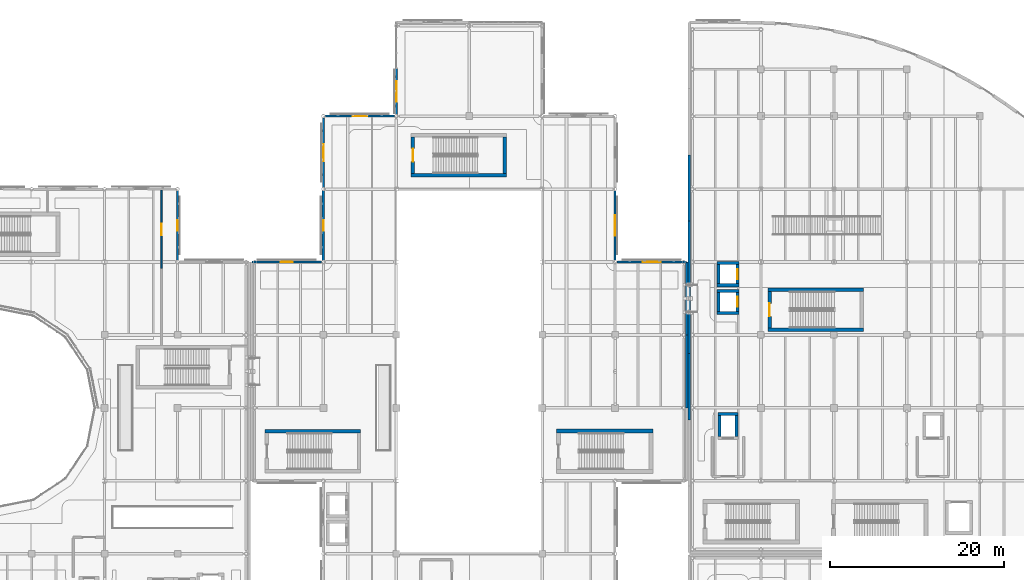
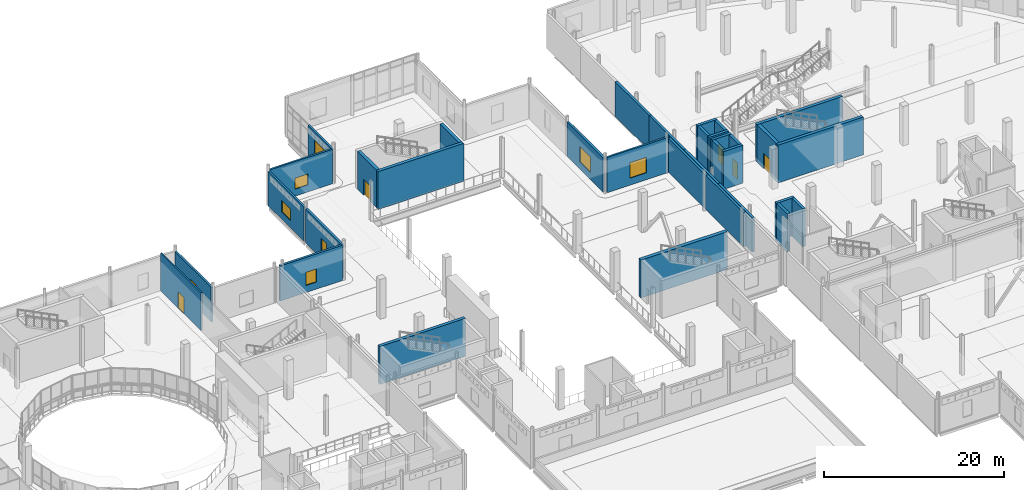
# One storey, part 69 of 110: 34 walls, 8 windows, 5 doors, 13 openings.
"""IFC4 building model written with IfcOpenShell, lengths in metres."""

from ifc_helpers import new_model, si_unit, direction, frame, frame_2d, origin, place, context, subcontext, project, spatial, rectangle, extrude, material, layer, layer_set, type_object, element, fill, save


model = new_model("IFC4")

# Units and contexts
model_context = context("Model", 3, precision=1e-05, world=origin(), true_north=direction((0.0, 1.0)))
body_context = subcontext(model_context, "Body", "Model", "MODEL_VIEW")
ifc_project = project(units=[si_unit("LENGTHUNIT", "METRE"), si_unit("AREAUNIT", "SQUARE_METRE"), si_unit("VOLUMEUNIT", "CUBIC_METRE"), si_unit("PLANEANGLEUNIT", "RADIAN"), si_unit("MASSUNIT", "GRAM", prefix="KILO"), si_unit("THERMODYNAMICTEMPERATUREUNIT", "KELVIN")], contexts=[model_context])

# Site, building, storey
site_placement = place(None, origin())
site = spatial("IfcSite", under=ifc_project, at=site_placement, CompositionType="ELEMENT")
building_placement = place(site_placement, origin())
building = spatial("IfcBuilding", under=site, at=building_placement, Name="Lustrewick Department Store", CompositionType="ELEMENT")
storey_placement = place(building_placement, frame((0.0, 0.0, 6.0)))
storey = spatial("IfcBuildingStorey", under=building, at=storey_placement, Name="L02", CompositionType="ELEMENT", Elevation=6.0)

# Wall, opening, window
ifc_material_1 = material(Name="Precast concrete C40", Category="concrete")
ifc_layer_1 = layer(ifc_material_1, 0.239990234375, Name="Precast concrete C40")
ifc_layer_set_1 = layer_set([ifc_layer_1], Name="Precast concrete C40")
wall_type_1 = type_object("IfcWallType", Name="EW01", PredefinedType="STANDARD", material=ifc_layer_set_1)
wall_1_placement = place(storey_placement, frame((50.39990234375, 84.197998046875, 0.0), z_axis=(0.0, 0.0, 1.0), x_axis=(0.0, 1.0, 0.0)))
wall_1 = element("IfcWall", 1, at=wall_1_placement, inside=storey, type_object=wall_type_1, Name="L02 V1 Exterior Wall EW01", PredefinedType="STANDARD", context=body_context, shape_type="SweptSolid", body=[
    extrude(rectangle(XDim=8.0185546875, YDim=0.239990234375, at=frame_2d((4.00927734375, 0.0))), origin(), (0.0, 0.0, 1.0), 4.697021484375),
])
opening_1_placement = place(wall_1_placement, frame((3.4091796875, 0.0, 0.949951171875)))
opening_1 = element("IfcOpeningElement", 2, at=opening_1_placement, cuts=wall_1, Name="Opening WN06", PredefinedType="OPENING", context=body_context, shape_type="SweptSolid", body=[
    extrude(rectangle(XDim=1.199951171875, YDim=2.10009765625, at=frame_2d((0.60009765625, 1.050048828125))), frame((0.0, 0.1298828125, 0.0), z_axis=(0.0, -1.0, 0.0), x_axis=(1.0, 0.0, 0.0)), (0.0, 0.0, 1.0), 0.260009765625),
])
ifc_material_2 = material(Name="Thermally broken Low-E triple-glazed window", Category="glass")
window_type_1 = type_object("IfcWindowType", Name="WN06", PartitioningType="DOUBLE_PANEL_VERTICAL", PredefinedType="WINDOW", material=ifc_material_2)
window_1_placement = place(opening_1_placement, origin())
window_1 = element("IfcWindow", 3, at=window_1_placement, inside=storey, type_object=window_type_1, Name="L02 Art Nouveau Window WN06", OverallHeight=2.10009765625, OverallWidth=1.199951171875, PartitioningType="SINGLE_PANEL", PredefinedType="WINDOW", context=body_context, shape_type="SweptSolid", body=[
    extrude(rectangle(XDim=1.199951171875, YDim=2.10009765625, at=frame_2d((0.60009765625, 1.050048828125))), frame((0.0, 0.030029296875, 0.0), z_axis=(0.0, -1.0, 0.0), x_axis=(1.0, 0.0, 0.0)), (0.0, 0.0, 1.0), 0.06005859375),
])
fill(opening_1, window_1)

wall_2_placement = place(storey_placement, frame((109.050048828125, 84.0, 0.0), z_axis=(0.0, 0.0, 1.0), x_axis=(-1.0, 0.0, 0.0)))
wall_2 = element("IfcWall", 4, at=wall_2_placement, inside=storey, type_object=wall_type_1, Name="L02 V2 Exterior Wall EW01", PredefinedType="STANDARD", context=body_context, shape_type="SweptSolid", body=[
    extrude(rectangle(XDim=8.052001953125, YDim=0.239990234375, at=frame_2d((4.02587890625, 0.0))), origin(), (0.0, 0.0, 1.0), 4.787109375),
])
opening_2_placement = place(wall_2_placement, frame((2.97607421875, 0.0, 0.949951171875)))
opening_2 = element("IfcOpeningElement", 5, at=opening_2_placement, cuts=wall_2, Name="Opening WN11", PredefinedType="OPENING", context=body_context, shape_type="SweptSolid", body=[
    extrude(rectangle(XDim=2.10009765625, YDim=2.10009765625, at=frame_2d((1.050048828125, 1.050048828125))), frame((0.0, 0.1298828125, 0.0), z_axis=(0.0, -1.0, 0.0), x_axis=(1.0, 0.0, 0.0)), (0.0, 0.0, 1.0), 0.260009765625),
])
window_type_2 = type_object("IfcWindowType", Name="WN11", PartitioningType="DOUBLE_PANEL_VERTICAL", PredefinedType="WINDOW", material=ifc_material_2)
window_2_placement = place(opening_2_placement, origin())
window_2 = element("IfcWindow", 6, at=window_2_placement, inside=storey, type_object=window_type_2, Name="L02 Art Nouveau Window WN11", OverallHeight=2.10009765625, OverallWidth=2.10009765625, PartitioningType="SINGLE_PANEL", PredefinedType="WINDOW", context=body_context, shape_type="SweptSolid", body=[
    extrude(rectangle(XDim=2.10009765625, YDim=2.10009765625, at=frame_2d((1.050048828125, 1.050048828125))), frame((0.0, 0.030029296875, 0.0), z_axis=(0.0, -1.0, 0.0), x_axis=(1.0, 0.0, 0.0)), (0.0, 0.0, 1.0), 0.06005859375),
])
fill(opening_2, window_2)

wall_3_placement = place(storey_placement, frame((75.60009765625, 106.299072265625, 0.0), z_axis=(0.0, 0.0, 1.0), x_axis=(0.0, -1.0, 0.0)))
wall_3 = element("IfcWall", 7, at=wall_3_placement, inside=storey, type_object=wall_type_1, Name="L02 V2 Exterior Wall EW01", PredefinedType="STANDARD", context=body_context, shape_type="SweptSolid", body=[
    extrude(rectangle(XDim=5.301025390625, YDim=0.239990234375, at=frame_2d((2.650390625, 0.0))), origin(), (0.0, 0.0, 1.0), 4.537109375),
])
opening_3_placement = place(wall_3_placement, frame((1.450439453125, 0.0, 0.949951171875)))
opening_3 = element("IfcOpeningElement", 8, at=opening_3_placement, cuts=wall_3, Name="Opening WN18", PredefinedType="OPENING", context=body_context, shape_type="SweptSolid", body=[
    extrude(rectangle(XDim=2.39990234375, YDim=2.39990234375, at=frame_2d((1.199951171875, 1.199951171875))), frame((0.0, 0.1298828125, 0.0), z_axis=(0.0, -1.0, 0.0), x_axis=(1.0, 0.0, 0.0)), (0.0, 0.0, 1.0), 0.260009765625),
])
window_type_3 = type_object("IfcWindowType", Name="WN18", PartitioningType="DOUBLE_PANEL_VERTICAL", PredefinedType="WINDOW", material=ifc_material_2)
window_3_placement = place(opening_3_placement, origin())
window_3 = element("IfcWindow", 9, at=window_3_placement, inside=storey, type_object=window_type_3, Name="L02 Art Nouveau Window WN18", OverallHeight=2.39990234375, OverallWidth=2.39990234375, PartitioningType="SINGLE_PANEL", PredefinedType="WINDOW", context=body_context, shape_type="SweptSolid", body=[
    extrude(rectangle(XDim=2.39990234375, YDim=2.39990234375, at=frame_2d((1.199951171875, 1.199951171875))), frame((0.0, 0.030029296875, 0.0), z_axis=(0.0, -1.0, 0.0), x_axis=(1.0, 0.0, 0.0)), (0.0, 0.0, 1.0), 0.06005859375),
])
fill(opening_3, window_3)

wall_4_placement = place(storey_placement, frame((75.402099609375, 100.800048828125, 0.0), z_axis=(0.0, 0.0, 1.0), x_axis=(-1.0, 0.0, 0.0)))
wall_4 = element("IfcWall", 10, at=wall_4_placement, inside=storey, type_object=wall_type_1, Name="L02 V2 Exterior Wall EW01", PredefinedType="STANDARD", context=body_context, shape_type="SweptSolid", body=[
    extrude(rectangle(XDim=8.004150390625, YDim=0.239990234375, at=frame_2d((4.001953125, 0.0))), origin(), (0.0, 0.0, 1.0), 4.697021484375),
])
opening_4_placement = place(wall_4_placement, frame((3.162109375, 0.0, 0.949951171875)))
opening_4 = element("IfcOpeningElement", 11, at=opening_4_placement, cuts=wall_4, Name="Opening WN19", PredefinedType="OPENING", context=body_context, shape_type="SweptSolid", body=[
    extrude(rectangle(XDim=1.679931640625, YDim=1.5, at=frame_2d((0.83984375, 0.75))), frame((0.0, 0.1298828125, 0.0), z_axis=(0.0, -1.0, 0.0), x_axis=(1.0, 0.0, 0.0)), (0.0, 0.0, 1.0), 0.260009765625),
])
window_type_4 = type_object("IfcWindowType", Name="WN19", PartitioningType="DOUBLE_PANEL_VERTICAL", PredefinedType="WINDOW", material=ifc_material_2)
window_4_placement = place(opening_4_placement, origin())
window_4 = element("IfcWindow", 12, at=window_4_placement, inside=storey, type_object=window_type_4, Name="L02 Art Nouveau Window WN19", OverallHeight=1.5, OverallWidth=1.679931640625, PartitioningType="SINGLE_PANEL", PredefinedType="WINDOW", context=body_context, shape_type="SweptSolid", body=[
    extrude(rectangle(XDim=1.679931640625, YDim=1.5, at=frame_2d((0.83984375, 0.75))), frame((0.0, 0.030029296875, 0.0), z_axis=(0.0, -1.0, 0.0), x_axis=(1.0, 0.0, 0.0)), (0.0, 0.0, 1.0), 0.06005859375),
])
fill(opening_4, window_4)

ifc_layer_2 = layer(ifc_material_1, 0.260009765625, Name="Precast concrete C40")
ifc_layer_set_2 = layer_set([ifc_layer_2], Name="Precast concrete C40")
wall_type_2 = type_object("IfcWallType", Name="EW02", PredefinedType="STANDARD", material=ifc_layer_set_2)
wall_5_placement = place(storey_placement, frame((100.800048828125, 84.197998046875, 0.0), z_axis=(0.0, 0.0, 1.0), x_axis=(0.0, 1.0, 0.0)))
wall_5 = element("IfcWall", 13, at=wall_5_placement, inside=storey, type_object=wall_type_2, Name="L02 V2 Exterior Wall EW02", PredefinedType="STANDARD", context=body_context, shape_type="SweptSolid", body=[
    extrude(rectangle(XDim=8.0185546875, YDim=0.260009765625, at=frame_2d((4.00927734375, 0.0))), origin(), (0.0, 0.0, 1.0), 4.697021484375),
])
opening_5_placement = place(wall_5_placement, frame((2.809326171875, 0.0, 0.949951171875)))
opening_5 = element("IfcOpeningElement", 14, at=opening_5_placement, cuts=wall_5, Name="Opening WN12", PredefinedType="OPENING", context=body_context, shape_type="SweptSolid", body=[
    extrude(rectangle(XDim=2.39990234375, YDim=2.10009765625, at=frame_2d((1.199951171875, 1.050048828125))), frame((0.0, 0.14013671875, 0.0), z_axis=(0.0, -1.0, 0.0), x_axis=(1.0, 0.0, 0.0)), (0.0, 0.0, 1.0), 0.280029296875),
])
window_type_5 = type_object("IfcWindowType", Name="WN12", PartitioningType="DOUBLE_PANEL_VERTICAL", PredefinedType="WINDOW", material=ifc_material_2)
window_5_placement = place(opening_5_placement, origin())
window_5 = element("IfcWindow", 15, at=window_5_placement, inside=storey, type_object=window_type_5, Name="L02 Art Nouveau Window WN12", OverallHeight=2.10009765625, OverallWidth=2.39990234375, PartitioningType="SINGLE_PANEL", PredefinedType="WINDOW", context=body_context, shape_type="SweptSolid", body=[
    extrude(rectangle(XDim=2.39990234375, YDim=2.10009765625, at=frame_2d((1.199951171875, 1.050048828125))), frame((0.0, 0.030029296875, 0.0), z_axis=(0.0, -1.0, 0.0), x_axis=(1.0, 0.0, 0.0)), (0.0, 0.0, 1.0), 0.06005859375),
])
fill(opening_5, window_5)

wall_6_placement = place(storey_placement, frame((67.199951171875, 100.60205078125, 0.0), z_axis=(0.0, 0.0, 1.0), x_axis=(0.0, -1.0, 0.0)))
wall_6 = element("IfcWall", 16, at=wall_6_placement, inside=storey, type_object=wall_type_2, Name="L02 V2 Exterior Wall EW02", PredefinedType="STANDARD", context=body_context, shape_type="SweptSolid", body=[
    extrude(rectangle(XDim=8.0185546875, YDim=0.260009765625, at=frame_2d((4.00927734375, 0.0))), origin(), (0.0, 0.0, 1.0), 4.631103515625),
])
opening_6_placement = place(wall_6_placement, frame((3.00927734375, 0.0, 0.949951171875)))
opening_6 = element("IfcOpeningElement", 17, at=opening_6_placement, cuts=wall_6, Name="Opening WN20", PredefinedType="OPENING", context=body_context, shape_type="SweptSolid", body=[
    extrude(rectangle(XDim=2.0, YDim=1.60009765625, at=frame_2d((1.0, 0.800048828125))), frame((0.0, 0.14013671875, 0.0), z_axis=(0.0, -1.0, 0.0), x_axis=(1.0, 0.0, 0.0)), (0.0, 0.0, 1.0), 0.280029296875),
])
window_type_6 = type_object("IfcWindowType", Name="WN20", PartitioningType="DOUBLE_PANEL_VERTICAL", PredefinedType="WINDOW", material=ifc_material_2)
window_6_placement = place(opening_6_placement, origin())
window_6 = element("IfcWindow", 18, at=window_6_placement, inside=storey, type_object=window_type_6, Name="L02 Art Nouveau Window WN20", OverallHeight=1.60009765625, OverallWidth=2.0, PartitioningType="SINGLE_PANEL", PredefinedType="WINDOW", context=body_context, shape_type="SweptSolid", body=[
    extrude(rectangle(XDim=2.0, YDim=1.60009765625, at=frame_2d((1.0, 0.800048828125))), frame((0.0, 0.030029296875, 0.0), z_axis=(0.0, -1.0, 0.0), x_axis=(1.0, 0.0, 0.0)), (0.0, 0.0, 1.0), 0.06005859375),
])
fill(opening_6, window_6)

ifc_layer_3 = layer(ifc_material_1, 0.280029296875, Name="Precast concrete C40")
ifc_layer_set_3 = layer_set([ifc_layer_3], Name="Precast concrete C40")
wall_type_3 = type_object("IfcWallType", Name="EW03", PredefinedType="STANDARD", material=ifc_layer_set_3)
wall_7_placement = place(storey_placement, frame((67.199951171875, 92.216552734375, 0.0), z_axis=(0.0, 0.0, 1.0), x_axis=(0.0, -1.0, 0.0)))
wall_7 = element("IfcWall", 19, at=wall_7_placement, inside=storey, type_object=wall_type_3, Name="L02 V2 Exterior Wall EW03", PredefinedType="STANDARD", context=body_context, shape_type="SweptSolid", body=[
    extrude(rectangle(XDim=8.0185546875, YDim=0.280029296875, at=frame_2d((4.00927734375, 0.0))), origin(), (0.0, 0.0, 1.0), 4.631103515625),
])
opening_7_placement = place(wall_7_placement, frame((3.4091796875, 0.0, 0.949951171875)))
opening_7 = element("IfcOpeningElement", 20, at=opening_7_placement, cuts=wall_7, Name="Opening WN01", PredefinedType="OPENING", context=body_context, shape_type="SweptSolid", body=[
    extrude(rectangle(XDim=1.199951171875, YDim=1.800048828125, at=frame_2d((0.60009765625, 0.89990234375))), frame((0.0, 0.14990234375, 0.0), z_axis=(0.0, -1.0, 0.0), x_axis=(1.0, 0.0, 0.0)), (0.0, 0.0, 1.0), 0.300048828125),
])
window_type_7 = type_object("IfcWindowType", Name="WN01", PartitioningType="DOUBLE_PANEL_VERTICAL", PredefinedType="WINDOW", material=ifc_material_2)
window_7_placement = place(opening_7_placement, origin())
window_7 = element("IfcWindow", 21, at=window_7_placement, inside=storey, type_object=window_type_7, Name="L02 Art Nouveau Window WN01", OverallHeight=1.800048828125, OverallWidth=1.199951171875, PartitioningType="SINGLE_PANEL", PredefinedType="WINDOW", context=body_context, shape_type="SweptSolid", body=[
    extrude(rectangle(XDim=1.199951171875, YDim=1.800048828125, at=frame_2d((0.60009765625, 0.89990234375))), frame((0.0, 0.030029296875, 0.0), z_axis=(0.0, -1.0, 0.0), x_axis=(1.0, 0.0, 0.0)), (0.0, 0.0, 1.0), 0.06005859375),
])
fill(opening_7, window_7)

wall_8_placement = place(storey_placement, frame((67.001953125, 84.0, 0.0), z_axis=(0.0, 0.0, 1.0), x_axis=(-1.0, 0.0, 0.0)))
wall_8 = element("IfcWall", 22, at=wall_8_placement, inside=storey, type_object=wall_type_3, Name="L02 V2 Exterior Wall EW03", PredefinedType="STANDARD", context=body_context, shape_type="SweptSolid", body=[
    extrude(rectangle(XDim=8.052001953125, YDim=0.280029296875, at=frame_2d((4.02587890625, 0.0))), origin(), (0.0, 0.0, 1.0), 4.787109375),
])
opening_8_placement = place(wall_8_placement, frame((3.35107421875, 0.0, 0.949951171875)))
opening_8 = element("IfcOpeningElement", 23, at=opening_8_placement, cuts=wall_8, Name="Opening WN02", PredefinedType="OPENING", context=body_context, shape_type="SweptSolid", body=[
    extrude(rectangle(XDim=1.35009765625, YDim=1.800048828125, at=frame_2d((0.675048828125, 0.89990234375))), frame((0.0, 0.14990234375, 0.0), z_axis=(0.0, -1.0, 0.0), x_axis=(1.0, 0.0, 0.0)), (0.0, 0.0, 1.0), 0.300048828125),
])
window_type_8 = type_object("IfcWindowType", Name="WN02", PartitioningType="DOUBLE_PANEL_VERTICAL", PredefinedType="WINDOW", material=ifc_material_2)
window_8_placement = place(opening_8_placement, origin())
window_8 = element("IfcWindow", 24, at=window_8_placement, inside=storey, type_object=window_type_8, Name="L02 Art Nouveau Window WN02", OverallHeight=1.800048828125, OverallWidth=1.35009765625, PartitioningType="SINGLE_PANEL", PredefinedType="WINDOW", context=body_context, shape_type="SweptSolid", body=[
    extrude(rectangle(XDim=1.35009765625, YDim=1.800048828125, at=frame_2d((0.675048828125, 0.89990234375))), frame((0.0, 0.030029296875, 0.0), z_axis=(0.0, -1.0, 0.0), x_axis=(1.0, 0.0, 0.0)), (0.0, 0.0, 1.0), 0.06005859375),
])
fill(opening_8, window_8)

# Walls
ifc_layer_4 = layer(ifc_material_1, 0.300048828125, Name="Precast concrete C40")
ifc_layer_set_4 = layer_set([ifc_layer_4], Name="Precast concrete C40")
wall_type_4 = type_object("IfcWallType", Name="EW04", PredefinedType="STANDARD", material=ifc_layer_set_4)
wall_9_placement = place(storey_placement, frame((109.050048828125, 67.199951171875, 0.0), z_axis=(0.0, 0.0, 1.0), x_axis=(0.0, 1.0, 0.0)))
element("IfcWall", 25, at=wall_9_placement, inside=storey, type_object=wall_type_4, Name="L02 V2 Exterior Wall EW04", PredefinedType="STANDARD", context=body_context, shape_type="SweptSolid", body=[
    extrude(rectangle(XDim=8.400146484375, YDim=0.300048828125, at=frame_2d((4.2001953125, 0.0))), origin(), (0.0, 0.0, 1.0), 4.631103515625),
])
wall_10_placement = place(storey_placement, frame((109.050048828125, 75.60009765625, 0.0), z_axis=(0.0, 0.0, 1.0), x_axis=(0.0, 1.0, 0.0)))
element("IfcWall", 26, at=wall_10_placement, inside=storey, type_object=wall_type_4, Name="L02 V2 Exterior Wall EW04", PredefinedType="STANDARD", context=body_context, shape_type="SweptSolid", body=[
    extrude(rectangle(XDim=8.39990234375, YDim=0.300048828125, at=frame_2d((4.199951171875, 0.0))), origin(), (0.0, 0.0, 1.0), 4.631103515625),
])
wall_11_placement = place(storey_placement, frame((109.35009765625, 96.33740234375, 0.0), z_axis=(0.0, 0.0, 1.0), x_axis=(0.0, -1.0, 0.0)))
element("IfcWall", 27, at=wall_11_placement, inside=storey, type_object=wall_type_4, Name="L02 V4 Exterior Wall EW04", PredefinedType="STANDARD", context=body_context, shape_type="SweptSolid", body=[
    extrude(rectangle(XDim=7.631103515625, YDim=0.300048828125, at=frame_2d((3.8154296875, 0.0))), origin(), (0.0, 0.0, 1.0), 4.697021484375),
])
for number, where, z_axis, x_axis, name in (
    (28, (109.35009765625, 88.706298828125, 0.0), (0.0, 0.0, 1.0), (0.0, -1.0, 0.0), "L02 V4 Exterior Wall EW04"),
    (29, (109.35009765625, 81.074951171875, 0.0), (0.0, 0.0, 1.0), (0.0, -1.0, 0.0), "L02 V4 Exterior Wall EW04"),
):
    element("IfcWall", number, at=place(storey_placement, frame(where, z_axis=z_axis, x_axis=x_axis)), inside=storey, type_object=wall_type_4, Name=name, PredefinedType="STANDARD", context=body_context, shape_type="SweptSolid", body=[
        extrude(rectangle(XDim=7.63134765625, YDim=0.300048828125, at=frame_2d((3.815673828125, 0.0))), origin(), (0.0, 0.0, 1.0), 4.697021484375),
    ])
wall_12_placement = place(storey_placement, frame((109.35009765625, 73.443603515625, 0.0), z_axis=(0.0, 0.0, 1.0), x_axis=(0.0, -1.0, 0.0)))
element("IfcWall", 30, at=wall_12_placement, inside=storey, type_object=wall_type_4, Name="L02 V4 Exterior Wall EW04", PredefinedType="STANDARD", context=body_context, shape_type="SweptSolid", body=[
    extrude(rectangle(XDim=7.631103515625, YDim=0.300048828125, at=frame_2d((3.8154296875, 0.0))), origin(), (0.0, 0.0, 1.0), 4.697021484375),
])

# Wall, opening, door
ifc_material_3 = material(Name="Double-stud gypsum fire board with mineral wool", Category="gypsum")
ifc_layer_5 = layer(ifc_material_3, 0.1650390625, Name="Double-stud gypsum fire board with mineral wool")
ifc_layer_set_5 = layer_set([ifc_layer_5], Name="Double-stud gypsum fire board with mineral wool")
wall_type_5 = type_object("IfcWallType", Name="PW04", PredefinedType="PARTITIONING", material=ifc_layer_set_5)
wall_13_placement = place(storey_placement, frame((48.52978515625, 92.27490234375, 0.0), z_axis=(0.0, 0.0, 1.0), x_axis=(0.0, -1.0, 0.0)))
wall_13 = element("IfcWall", 31, at=wall_13_placement, inside=storey, type_object=wall_type_5, Name="L02 Forward Stockroom PW04", PredefinedType="PARTITIONING", context=body_context, shape_type="SweptSolid", body=[
    extrude(rectangle(XDim=9.039794921875, YDim=0.1650390625, at=frame_2d((4.52001953125, 0.0))), origin(), (0.0, 0.0, 1.0), 5.14501953125),
])
opening_9_placement = place(wall_13_placement, frame((3.8701171875, 0.0, 0.0)))
opening_9 = element("IfcOpeningElement", 32, at=opening_9_placement, cuts=wall_13, Name="Opening D-L02-047", PredefinedType="OPENING", context=body_context, shape_type="SweptSolid", body=[
    extrude(rectangle(XDim=1.300048828125, YDim=2.199951171875, at=frame_2d((0.64990234375, 1.10009765625))), frame((0.0, 0.092529296875, 0.0), z_axis=(0.0, -1.0, 0.0), x_axis=(1.0, 0.0, 0.0)), (0.0, 0.0, 1.0), 0.18505859375),
])
ifc_material_4 = material(Name="Steel fire door Class A EI 90", Category="steel")
door_type_1 = type_object("IfcDoorType", Name="DT-13", OperationType="NOTDEFINED", PredefinedType="DOOR", material=ifc_material_4)
door_1_placement = place(opening_9_placement, origin())
door_1 = element("IfcDoor", 33, at=door_1_placement, inside=storey, type_object=door_type_1, Name="L02 Forward Stockroom Door D-L02-047", OperationType="SINGLE_SWING_LEFT", OverallHeight=2.199951171875, OverallWidth=1.300048828125, PredefinedType="DOOR", context=body_context, shape_type="SweptSolid", body=[
    extrude(rectangle(XDim=1.300048828125, YDim=2.199951171875, at=frame_2d((0.64990234375, 1.10009765625))), frame((0.0, 0.02490234375, 0.0), z_axis=(0.0, -1.0, 0.0), x_axis=(1.0, 0.0, 0.0)), (0.0, 0.0, 1.0), 0.050048828125),
])
fill(opening_9, door_1)

# Walls
ifc_material_5 = material(Name="Concrete C50", Category="concrete")
ifc_layer_6 = layer(ifc_material_5, 0.449951171875, Name="Concrete C50")
ifc_layer_set_6 = layer_set([ifc_layer_6], Name="Concrete C50")
wall_type_6 = type_object("IfcWallType", Name="SW01", PredefinedType="SHEAR", material=ifc_layer_set_6)
wall_14_placement = place(storey_placement, frame((105.14990234375, 64.52490234375, 0.0), z_axis=(0.0, 0.0, 1.0), x_axis=(-1.0, 0.0, 0.0)))
element("IfcWall", 34, at=wall_14_placement, inside=storey, type_object=wall_type_6, Name="L02 Stair Core ST05 Shear Wall N", PredefinedType="SHEAR", context=body_context, shape_type="SweptSolid", body=[
    extrude(rectangle(XDim=11.099853515625, YDim=0.449951171875, at=frame_2d((5.5498046875, 0.0))), origin(), (0.0, 0.0, 1.0), 5.14501953125),
])
ifc_layer_7 = layer(ifc_material_5, 0.39990234375, Name="Concrete C50")
ifc_layer_set_7 = layer_set([ifc_layer_7], Name="Concrete C50")
wall_type_7 = type_object("IfcWallType", Name="SW02", PredefinedType="SHEAR", material=ifc_layer_set_7)
for number, where, z_axis, x_axis, name in (
    (35, (71.5, 64.5, 0.0), (0.0, 0.0, 1.0), (-1.0, 0.0, 0.0), "L02 Stair Core ST04 Shear Wall N"),
    (36, (77.300048828125, 94.0, 0.0), (0.0, 0.0, 1.0), (1.0, 0.0, 0.0), "L02 Stair Core ST06 Shear Wall S"),
):
    element("IfcWall", number, at=place(storey_placement, frame(where, z_axis=z_axis, x_axis=x_axis)), inside=storey, type_object=wall_type_7, Name=name, PredefinedType="SHEAR", context=body_context, shape_type="SweptSolid", body=[
        extrude(rectangle(XDim=11.0, YDim=0.39990234375, at=frame_2d((5.5, 0.0))), origin(), (0.0, 0.0, 1.0), 5.14501953125),
    ])
wall_15_placement = place(storey_placement, frame((88.10009765625, 94.199951171875, 0.0), z_axis=(0.0, 0.0, 1.0), x_axis=(0.0, 1.0, 0.0)))
element("IfcWall", 37, at=wall_15_placement, inside=storey, type_object=wall_type_7, Name="L02 Stair Core ST06 Shear Wall E", PredefinedType="SHEAR", context=body_context, shape_type="SweptSolid", body=[
    extrude(rectangle(XDim=4.199951171875, YDim=0.39990234375, at=frame_2d((2.10009765625, 0.0))), origin(), (0.0, 0.0, 1.0), 5.14501953125),
])

# Wall, opening, door
wall_16_placement = place(storey_placement, frame((77.5, 98.39990234375, 0.0), z_axis=(0.0, 0.0, 1.0), x_axis=(0.0, -1.0, 0.0)))
wall_16 = element("IfcWall", 38, at=wall_16_placement, inside=storey, type_object=wall_type_7, Name="L02 Stair Core ST06 Shear Wall W", PredefinedType="SHEAR", context=body_context, shape_type="SweptSolid", body=[
    extrude(rectangle(XDim=4.199951171875, YDim=0.39990234375, at=frame_2d((2.10009765625, 0.0))), origin(), (0.0, 0.0, 1.0), 5.14501953125),
])
opening_10_placement = place(wall_16_placement, frame((1.35009765625, 0.0, 0.0)))
opening_10 = element("IfcOpeningElement", 39, at=opening_10_placement, cuts=wall_16, Name="Opening D-L02-006", PredefinedType="OPENING", context=body_context, shape_type="SweptSolid", body=[
    extrude(rectangle(XDim=1.5, YDim=2.14990234375, at=frame_2d((0.75, 1.074951171875))), frame((0.0, 0.2099609375, 0.0), z_axis=(0.0, -1.0, 0.0), x_axis=(1.0, 0.0, 0.0)), (0.0, 0.0, 1.0), 0.419921875),
])
ifc_material_6 = material(Name="Steel fire door Class B EI 60", Category="steel")
door_type_2 = type_object("IfcDoorType", Name="DT-07", OperationType="NOTDEFINED", PredefinedType="DOOR", material=ifc_material_6)
door_2_placement = place(opening_10_placement, origin())
door_2 = element("IfcDoor", 40, at=door_2_placement, inside=storey, type_object=door_type_2, Name="L02 Smoke-Proof Stair ST06 Fire Door", OperationType="SINGLE_SWING_LEFT", OverallHeight=2.14990234375, OverallWidth=1.5, PredefinedType="DOOR", context=body_context, shape_type="SweptSolid", body=[
    extrude(rectangle(XDim=1.5, YDim=2.14990234375, at=frame_2d((0.75, 1.074951171875))), frame((0.0, 0.02490234375, 0.0), z_axis=(0.0, -1.0, 0.0), x_axis=(1.0, 0.0, 0.0)), (0.0, 0.0, 1.0), 0.050048828125),
])
fill(opening_10, door_2)

# Walls
for number, where, z_axis, x_axis, name in (
    (41, (118.39990234375, 76.199951171875, 0.0), (0.0, 0.0, 1.0), (1.0, 0.0, 0.0), "L02 Stair Core ST10 Shear Wall S"),
    (42, (129.39990234375, 80.800048828125, 0.0), (0.0, 0.0, 1.0), (-1.0, 0.0, 0.0), "L02 Stair Core ST10 Shear Wall N"),
):
    element("IfcWall", number, at=place(storey_placement, frame(where, z_axis=z_axis, x_axis=x_axis)), inside=storey, type_object=wall_type_7, Name=name, PredefinedType="SHEAR", context=body_context, shape_type="SweptSolid", body=[
        extrude(rectangle(XDim=11.0, YDim=0.39990234375, at=frame_2d((5.5, 0.0))), origin(), (0.0, 0.0, 1.0), 5.14501953125),
    ])

# Wall, opening, door
wall_17_placement = place(storey_placement, frame((118.60009765625, 80.60009765625, 0.0), z_axis=(0.0, 0.0, 1.0), x_axis=(0.0, -1.0, 0.0)))
wall_17 = element("IfcWall", 43, at=wall_17_placement, inside=storey, type_object=wall_type_7, Name="L02 Stair Core ST10 Shear Wall W", PredefinedType="SHEAR", context=body_context, shape_type="SweptSolid", body=[
    extrude(rectangle(XDim=4.2001953125, YDim=0.39990234375, at=frame_2d((2.10009765625, 0.0))), origin(), (0.0, 0.0, 1.0), 5.14501953125),
])
opening_11_placement = place(wall_17_placement, frame((1.35009765625, 0.0, 0.0)))
opening_11 = element("IfcOpeningElement", 44, at=opening_11_placement, cuts=wall_17, Name="Opening D-L02-010", PredefinedType="OPENING", context=body_context, shape_type="SweptSolid", body=[
    extrude(rectangle(XDim=1.5, YDim=2.14990234375, at=frame_2d((0.75, 1.074951171875))), frame((0.0, 0.2099609375, 0.0), z_axis=(0.0, -1.0, 0.0), x_axis=(1.0, 0.0, 0.0)), (0.0, 0.0, 1.0), 0.419921875),
])
door_3_placement = place(opening_11_placement, origin())
door_3 = element("IfcDoor", 45, at=door_3_placement, inside=storey, type_object=door_type_2, Name="L02 Smoke-Proof Stair ST10 Fire Door", OperationType="SINGLE_SWING_LEFT", OverallHeight=2.14990234375, OverallWidth=1.5, PredefinedType="DOOR", context=body_context, shape_type="SweptSolid", body=[
    extrude(rectangle(XDim=1.5, YDim=2.14990234375, at=frame_2d((0.75, 1.074951171875))), frame((0.0, 0.02490234375, 0.0), z_axis=(0.0, -1.0, 0.0), x_axis=(1.0, 0.0, 0.0)), (0.0, 0.0, 1.0), 0.050048828125),
])
fill(opening_11, door_3)

# Walls
ifc_material_7 = material(Name="Concrete C40", Category="concrete")
ifc_layer_8 = layer(ifc_material_7, 0.360107421875, Name="Concrete C40")
ifc_layer_set_8 = layer_set([ifc_layer_8], Name="Concrete C40")
wall_type_8 = type_object("IfcWallType", Name="SW04", PredefinedType="SHEAR", material=ifc_layer_set_8)
wall_18_placement = place(storey_placement, frame((114.780029296875, 63.89990234375, 0.0), z_axis=(0.0, 0.0, 1.0), x_axis=(0.0, 1.0, 0.0)))
element("IfcWall", 46, at=wall_18_placement, inside=storey, type_object=wall_type_8, Name="L02 Lift FFL-04 Shaft Wall +X", PredefinedType="SHEAR", context=body_context, shape_type="SweptSolid", body=[
    extrude(rectangle(XDim=2.400146484375, YDim=0.360107421875, at=frame_2d((1.2001953125, 0.0))), origin(), (0.0, 0.0, 1.0), 5.14501953125),
])
wall_19_placement = place(storey_placement, frame((114.9599609375, 66.47998046875, 0.0), z_axis=(0.0, 0.0, 1.0), x_axis=(-1.0, 0.0, 0.0)))
element("IfcWall", 47, at=wall_19_placement, inside=storey, type_object=wall_type_8, Name="L02 Lift FFL-04 Shaft Wall +Y", PredefinedType="SHEAR", context=body_context, shape_type="SweptSolid", body=[
    extrude(rectangle(XDim=2.320068359375, YDim=0.360107421875, at=frame_2d((1.16015625, 0.0))), origin(), (0.0, 0.0, 1.0), 5.14501953125),
])
wall_20_placement = place(storey_placement, frame((112.820068359375, 66.300048828125, 0.0), z_axis=(0.0, 0.0, 1.0), x_axis=(0.0, -1.0, 0.0)))
element("IfcWall", 48, at=wall_20_placement, inside=storey, type_object=wall_type_8, Name="L02 Lift FFL-04 Shaft Wall -X", PredefinedType="SHEAR", context=body_context, shape_type="SweptSolid", body=[
    extrude(rectangle(XDim=2.400146484375, YDim=0.360107421875, at=frame_2d((1.2001953125, 0.0))), origin(), (0.0, 0.0, 1.0), 5.14501953125),
])
wall_21_placement = place(storey_placement, frame((112.5400390625, 78.1201171875, 0.0), z_axis=(0.0, 0.0, 1.0), x_axis=(1.0, 0.0, 0.0)))
element("IfcWall", 49, at=wall_21_placement, inside=storey, type_object=wall_type_8, Name="L02 Lift PL-07 Shaft Wall -Y", PredefinedType="SHEAR", context=body_context, shape_type="SweptSolid", body=[
    extrude(rectangle(XDim=2.52001953125, YDim=0.360107421875, at=frame_2d((1.260009765625, 0.0))), origin(), (0.0, 0.0, 1.0), 5.14501953125),
])

# Wall, opening, door
wall_22_placement = place(storey_placement, frame((114.8798828125, 78.300048828125, 0.0), z_axis=(0.0, 0.0, 1.0), x_axis=(0.0, 1.0, 0.0)))
wall_22 = element("IfcWall", 50, at=wall_22_placement, inside=storey, type_object=wall_type_8, Name="L02 Lift PL-07 Shaft Wall +X", PredefinedType="SHEAR", context=body_context, shape_type="SweptSolid", body=[
    extrude(rectangle(XDim=2.199951171875, YDim=0.360107421875, at=frame_2d((1.10009765625, 0.0))), origin(), (0.0, 0.0, 1.0), 5.14501953125),
])
opening_12_placement = place(wall_22_placement, frame((0.52490234375, 0.0, 0.0)))
opening_12 = element("IfcOpeningElement", 51, at=opening_12_placement, cuts=wall_22, Name="Opening LD-L02-11", PredefinedType="OPENING", context=body_context, shape_type="SweptSolid", body=[
    extrude(rectangle(XDim=1.14990234375, YDim=2.199951171875, at=frame_2d((0.574951171875, 1.10009765625))), frame((0.0, 0.18994140625, 0.0), z_axis=(0.0, -1.0, 0.0), x_axis=(1.0, 0.0, 0.0)), (0.0, 0.0, 1.0), 0.380126953125),
])
ifc_material_8 = material(Name="Brushed bronze passenger lift landing door EI 60", Category="steel")
door_type_3 = type_object("IfcDoorType", Name="DT-16", OperationType="NOTDEFINED", PredefinedType="DOOR", material=ifc_material_8)
door_4_placement = place(opening_12_placement, frame((1.14990234375, 0.0, 0.0), z_axis=(0.0, 0.0, 1.0), x_axis=(-1.0, 0.0, 0.0)))
door_4 = element("IfcDoor", 52, at=door_4_placement, inside=storey, type_object=door_type_3, Name="L02 Lift PL-07 Sliding Landing Door LD-L02-11", OperationType="DOUBLE_DOOR_SLIDING", OverallHeight=2.199951171875, OverallWidth=1.14990234375, PredefinedType="DOOR", context=body_context, shape_type="SweptSolid", body=[
    extrude(rectangle(XDim=1.14990234375, YDim=2.199951171875, at=frame_2d((0.574951171875, 1.10009765625))), frame((0.0, 0.02490234375, 0.0), z_axis=(0.0, -1.0, 0.0), x_axis=(1.0, 0.0, 0.0)), (0.0, 0.0, 1.0), 0.050048828125),
])
fill(opening_12, door_4)

# Walls
wall_23_placement = place(storey_placement, frame((115.06005859375, 80.679931640625, 0.0), z_axis=(0.0, 0.0, 1.0), x_axis=(-1.0, 0.0, 0.0)))
element("IfcWall", 53, at=wall_23_placement, inside=storey, type_object=wall_type_8, Name="L02 Lift PL-07 Shaft Wall +Y", PredefinedType="SHEAR", context=body_context, shape_type="SweptSolid", body=[
    extrude(rectangle(XDim=2.52001953125, YDim=0.360107421875, at=frame_2d((1.260009765625, 0.0))), origin(), (0.0, 0.0, 1.0), 5.14501953125),
])
wall_24_placement = place(storey_placement, frame((112.719970703125, 80.5, 0.0), z_axis=(0.0, 0.0, 1.0), x_axis=(0.0, -1.0, 0.0)))
element("IfcWall", 54, at=wall_24_placement, inside=storey, type_object=wall_type_8, Name="L02 Lift PL-07 Shaft Wall -X", PredefinedType="SHEAR", context=body_context, shape_type="SweptSolid", body=[
    extrude(rectangle(XDim=2.199951171875, YDim=0.360107421875, at=frame_2d((1.10009765625, 0.0))), origin(), (0.0, 0.0, 1.0), 5.14501953125),
])
wall_25_placement = place(storey_placement, frame((112.5400390625, 81.320068359375, 0.0), z_axis=(0.0, 0.0, 1.0), x_axis=(1.0, 0.0, 0.0)))
element("IfcWall", 55, at=wall_25_placement, inside=storey, type_object=wall_type_8, Name="L02 Lift PL-08 Shaft Wall -Y", PredefinedType="SHEAR", context=body_context, shape_type="SweptSolid", body=[
    extrude(rectangle(XDim=2.52001953125, YDim=0.360107421875, at=frame_2d((1.260009765625, 0.0))), origin(), (0.0, 0.0, 1.0), 5.14501953125),
])

# Wall, opening, door
wall_26_placement = place(storey_placement, frame((114.8798828125, 81.5, 0.0), z_axis=(0.0, 0.0, 1.0), x_axis=(0.0, 1.0, 0.0)))
wall_26 = element("IfcWall", 56, at=wall_26_placement, inside=storey, type_object=wall_type_8, Name="L02 Lift PL-08 Shaft Wall +X", PredefinedType="SHEAR", context=body_context, shape_type="SweptSolid", body=[
    extrude(rectangle(XDim=2.199951171875, YDim=0.360107421875, at=frame_2d((1.10009765625, 0.0))), origin(), (0.0, 0.0, 1.0), 5.14501953125),
])
opening_13_placement = place(wall_26_placement, frame((0.52490234375, 0.0, 0.0)))
opening_13 = element("IfcOpeningElement", 57, at=opening_13_placement, cuts=wall_26, Name="Opening LD-L02-12", PredefinedType="OPENING", context=body_context, shape_type="SweptSolid", body=[
    extrude(rectangle(XDim=1.14990234375, YDim=2.199951171875, at=frame_2d((0.574951171875, 1.10009765625))), frame((0.0, 0.18994140625, 0.0), z_axis=(0.0, -1.0, 0.0), x_axis=(1.0, 0.0, 0.0)), (0.0, 0.0, 1.0), 0.380126953125),
])
door_5_placement = place(opening_13_placement, frame((1.14990234375, 0.0, 0.0), z_axis=(0.0, 0.0, 1.0), x_axis=(-1.0, 0.0, 0.0)))
door_5 = element("IfcDoor", 58, at=door_5_placement, inside=storey, type_object=door_type_3, Name="L02 Lift PL-08 Sliding Landing Door LD-L02-12", OperationType="DOUBLE_DOOR_SLIDING", OverallHeight=2.199951171875, OverallWidth=1.14990234375, PredefinedType="DOOR", context=body_context, shape_type="SweptSolid", body=[
    extrude(rectangle(XDim=1.14990234375, YDim=2.199951171875, at=frame_2d((0.574951171875, 1.10009765625))), frame((0.0, 0.02490234375, 0.0), z_axis=(0.0, -1.0, 0.0), x_axis=(1.0, 0.0, 0.0)), (0.0, 0.0, 1.0), 0.050048828125),
])
fill(opening_13, door_5)

# Walls
wall_27_placement = place(storey_placement, frame((115.06005859375, 83.8798828125, 0.0), z_axis=(0.0, 0.0, 1.0), x_axis=(-1.0, 0.0, 0.0)))
element("IfcWall", 59, at=wall_27_placement, inside=storey, type_object=wall_type_8, Name="L02 Lift PL-08 Shaft Wall +Y", PredefinedType="SHEAR", context=body_context, shape_type="SweptSolid", body=[
    extrude(rectangle(XDim=2.52001953125, YDim=0.360107421875, at=frame_2d((1.260009765625, 0.0))), origin(), (0.0, 0.0, 1.0), 5.14501953125),
])
wall_28_placement = place(storey_placement, frame((112.719970703125, 83.699951171875, 0.0), z_axis=(0.0, 0.0, 1.0), x_axis=(0.0, -1.0, 0.0)))
element("IfcWall", 60, at=wall_28_placement, inside=storey, type_object=wall_type_8, Name="L02 Lift PL-08 Shaft Wall -X", PredefinedType="SHEAR", context=body_context, shape_type="SweptSolid", body=[
    extrude(rectangle(XDim=2.199951171875, YDim=0.360107421875, at=frame_2d((1.10009765625, 0.0))), origin(), (0.0, 0.0, 1.0), 5.14501953125),
])

save(model, "model.ifc")
